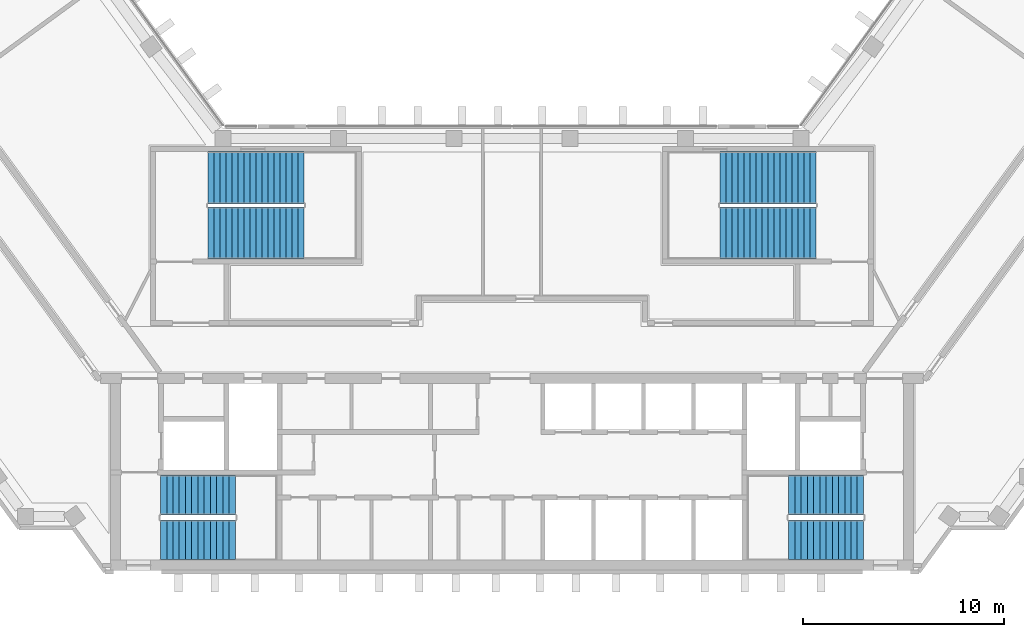
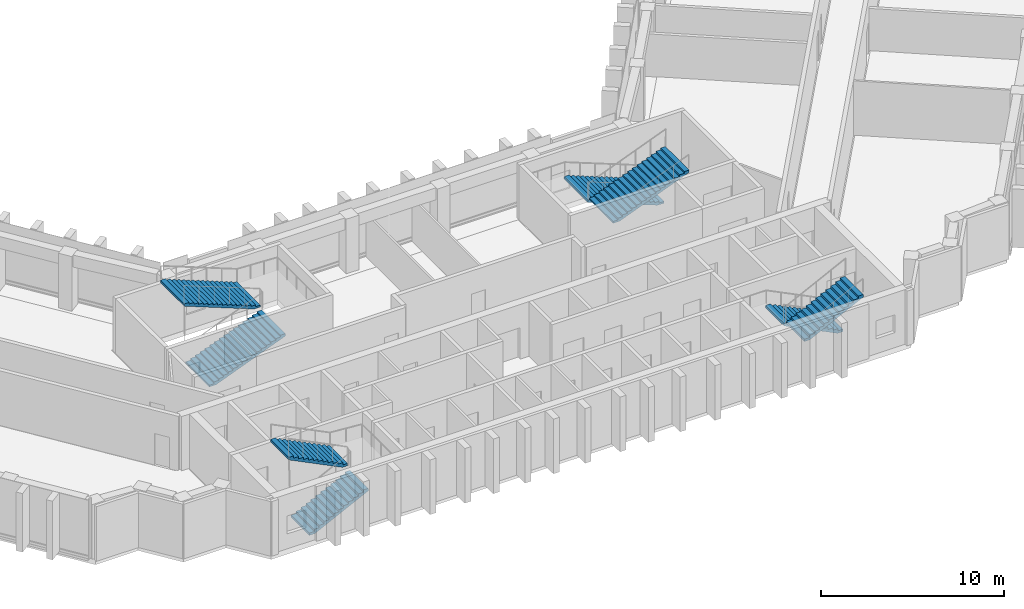
# One storey, part 9 of 11: 8 stair flights, 4 elements without a shape of their own.
"""IFC4 building model written with IfcOpenShell, lengths in metres."""

from ifc_helpers import new_model, si_unit, direction, frame, origin, place, context, subcontext, project, spatial, polyline, outline, extrude, material, type_object, element, aggregate, save


model = new_model("IFC4")

# Units and contexts
model_context = context("Model", 3, precision=1e-05, world=origin(), true_north=direction((0.0, 1.0)))
body_context = subcontext(model_context, "Body", "Model", "MODEL_VIEW")
ifc_project = project(units=[si_unit("LENGTHUNIT", "METRE"), si_unit("AREAUNIT", "SQUARE_METRE"), si_unit("VOLUMEUNIT", "CUBIC_METRE"), si_unit("PLANEANGLEUNIT", "RADIAN"), si_unit("MASSUNIT", "GRAM", prefix="KILO")], contexts=[model_context])

# Site, building, storey
site_placement = place(None, origin())
site = spatial("IfcSite", under=ifc_project, at=site_placement, CompositionType="ELEMENT")
building_placement = place(site_placement, origin())
building = spatial("IfcBuilding", under=site, at=building_placement, Name="Quipu Civic Tower", CompositionType="ELEMENT")
storey_placement = place(building_placement, frame((0.0, 0.0, 144.0)))
storey = spatial("IfcBuildingStorey", under=building, at=storey_placement, Name="L33", CompositionType="ELEMENT", Elevation=144.0)

# Stair, stair flights
ifc_material_1 = material(Name="Concrete C40/50", Category="concrete")
stair_type_1 = type_object("IfcStairType", Name="Half turn stair 2000", PredefinedType="HALF_TURN_STAIR", material=ifc_material_1)
stair_1_placement = place(storey_placement, origin())
stair_1 = element("IfcStair", 1, at=stair_1_placement, inside=storey, type_object=stair_type_1, Name="Exit stair 1", PredefinedType="HALF_TURN_STAIR")
ifc_material_2 = material(Name="Concrete C40/50", Category="concrete")
stair_flight_type_1 = type_object("IfcStairFlightType", Name="Stair flight 2000", PredefinedType="STRAIGHT", material=ifc_material_2)
stair_flight_1_placement = place(storey_placement, frame((-17.5, -9.5, 0.0), z_axis=(0.0, 0.0, 1.0), x_axis=(1.0, 0.0, 0.0)))
stair_flight_1 = element("IfcStairFlight", 2, at=stair_flight_1_placement, type_object=stair_flight_type_1, Name="ST-1 flight 1", NumberOfRisers=13, NumberOfTreads=12, PredefinedType="STRAIGHT", RiserHeight=0.153846154, TreadLength=0.31, context=body_context, shape_type="SweptSolid", body=[
    extrude(outline(polyline([(0.0, 0.0), (0.0, 0.15380859375), (0.31005859375, 0.15380859375), (0.31005859375, 0.3076171875), (0.6201171875, 0.3076171875), (0.6201171875, 0.46142578125), (0.929931640625, 0.46142578125), (0.929931640625, 0.615478515625), (1.239990234375, 0.615478515625), (1.239990234375, 0.769287109375), (1.550048828125, 0.769287109375), (1.550048828125, 0.923095703125), (1.860107421875, 0.923095703125), (1.860107421875, 1.076904296875), (2.169921875, 1.076904296875), (2.169921875, 1.230712890625), (2.47998046875, 1.230712890625), (2.47998046875, 1.384521484375), (2.7900390625, 1.384521484375), (2.7900390625, 1.53857421875), (3.10009765625, 1.53857421875), (3.10009765625, 1.6923828125), (3.409912109375, 1.6923828125), (3.409912109375, 1.84619140625), (3.719970703125, 1.84619140625), (3.719970703125, 2.0), (3.719970703125, 1.6787109375), (0.337158203125, 0.0), (0.0, 0.0)])), frame((0.0, 1.0, 0.0), z_axis=(0.0, -1.0, 0.0), x_axis=(1.0, 0.0, 0.0)), (0.0, 0.0, 1.0), 2.0),
])
stair_flight_2_placement = place(storey_placement, frame((-13.780029296875, -7.25, 2.0), z_axis=(0.0, 0.0, 1.0), x_axis=(-1.0, 0.0, 0.0)))
stair_flight_2 = element("IfcStairFlight", 3, at=stair_flight_2_placement, type_object=stair_flight_type_1, Name="ST-1 flight 2", NumberOfRisers=13, NumberOfTreads=12, PredefinedType="STRAIGHT", RiserHeight=0.153846154, TreadLength=0.31, context=body_context, shape_type="SweptSolid", body=[
    extrude(outline(polyline([(0.0, 0.0), (0.0, 0.15380859375), (0.31005859375, 0.15380859375), (0.31005859375, 0.3076171875), (0.6201171875, 0.3076171875), (0.6201171875, 0.46142578125), (0.929931640625, 0.46142578125), (0.929931640625, 0.615478515625), (1.239990234375, 0.615478515625), (1.239990234375, 0.769287109375), (1.550048828125, 0.769287109375), (1.550048828125, 0.923095703125), (1.860107421875, 0.923095703125), (1.860107421875, 1.076904296875), (2.169921875, 1.076904296875), (2.169921875, 1.230712890625), (2.47998046875, 1.230712890625), (2.47998046875, 1.384521484375), (2.7900390625, 1.384521484375), (2.7900390625, 1.53857421875), (3.10009765625, 1.53857421875), (3.10009765625, 1.6923828125), (3.409912109375, 1.6923828125), (3.409912109375, 1.84619140625), (3.719970703125, 1.84619140625), (3.719970703125, 2.0), (3.719970703125, 1.6787109375), (0.337158203125, 0.0), (0.0, 0.0)])), frame((0.0, 1.0, 0.0), z_axis=(0.0, -1.0, 0.0), x_axis=(1.0, 0.0, 0.0)), (0.0, 0.0, 1.0), 2.0),
])
aggregate(stair_1, [stair_flight_1, stair_flight_2])

stair_2_placement = place(storey_placement, origin())
stair_2 = element("IfcStair", 4, at=stair_2_placement, inside=storey, type_object=stair_type_1, Name="Exit stair 2", PredefinedType="HALF_TURN_STAIR")
stair_flight_3_placement = place(storey_placement, frame((17.5, -7.25, 0.0), z_axis=(0.0, 0.0, 1.0), x_axis=(-1.0, 0.0, 0.0)))
stair_flight_3 = element("IfcStairFlight", 5, at=stair_flight_3_placement, type_object=stair_flight_type_1, Name="ST-2 flight 1", NumberOfRisers=13, NumberOfTreads=12, PredefinedType="STRAIGHT", RiserHeight=0.153846154, TreadLength=0.31, context=body_context, shape_type="SweptSolid", body=[
    extrude(outline(polyline([(0.0, 0.0), (0.0, 0.15380859375), (0.31005859375, 0.15380859375), (0.31005859375, 0.3076171875), (0.6201171875, 0.3076171875), (0.6201171875, 0.46142578125), (0.929931640625, 0.46142578125), (0.929931640625, 0.615478515625), (1.239990234375, 0.615478515625), (1.239990234375, 0.769287109375), (1.550048828125, 0.769287109375), (1.550048828125, 0.923095703125), (1.860107421875, 0.923095703125), (1.860107421875, 1.076904296875), (2.169921875, 1.076904296875), (2.169921875, 1.230712890625), (2.47998046875, 1.230712890625), (2.47998046875, 1.384521484375), (2.7900390625, 1.384521484375), (2.7900390625, 1.53857421875), (3.10009765625, 1.53857421875), (3.10009765625, 1.6923828125), (3.409912109375, 1.6923828125), (3.409912109375, 1.84619140625), (3.719970703125, 1.84619140625), (3.719970703125, 2.0), (3.719970703125, 1.6787109375), (0.337158203125, 0.0), (0.0, 0.0)])), frame((0.0, 1.0, 0.0), z_axis=(0.0, -1.0, 0.0), x_axis=(1.0, 0.0, 0.0)), (0.0, 0.0, 1.0), 2.0),
])
stair_flight_4_placement = place(storey_placement, frame((13.780029296875, -9.5, 2.0), z_axis=(0.0, 0.0, 1.0), x_axis=(1.0, 0.0, 0.0)))
stair_flight_4 = element("IfcStairFlight", 6, at=stair_flight_4_placement, type_object=stair_flight_type_1, Name="ST-2 flight 2", NumberOfRisers=13, NumberOfTreads=12, PredefinedType="STRAIGHT", RiserHeight=0.153846154, TreadLength=0.31, context=body_context, shape_type="SweptSolid", body=[
    extrude(outline(polyline([(0.0, 0.0), (0.0, 0.15380859375), (0.31005859375, 0.15380859375), (0.31005859375, 0.3076171875), (0.6201171875, 0.3076171875), (0.6201171875, 0.46142578125), (0.929931640625, 0.46142578125), (0.929931640625, 0.615478515625), (1.239990234375, 0.615478515625), (1.239990234375, 0.769287109375), (1.550048828125, 0.769287109375), (1.550048828125, 0.923095703125), (1.860107421875, 0.923095703125), (1.860107421875, 1.076904296875), (2.169921875, 1.076904296875), (2.169921875, 1.230712890625), (2.47998046875, 1.230712890625), (2.47998046875, 1.384521484375), (2.7900390625, 1.384521484375), (2.7900390625, 1.53857421875), (3.10009765625, 1.53857421875), (3.10009765625, 1.6923828125), (3.409912109375, 1.6923828125), (3.409912109375, 1.84619140625), (3.719970703125, 1.84619140625), (3.719970703125, 2.0), (3.719970703125, 1.6787109375), (0.337158203125, 0.0), (0.0, 0.0)])), frame((0.0, 1.0, 0.0), z_axis=(0.0, -1.0, 0.0), x_axis=(1.0, 0.0, 0.0)), (0.0, 0.0, 1.0), 2.0),
])
aggregate(stair_2, [stair_flight_3, stair_flight_4])

ifc_material_3 = material(Name="Concrete C40/50", Category="concrete")
stair_type_2 = type_object("IfcStairType", Name="Half turn stair 2600", PredefinedType="HALF_TURN_STAIR", material=ifc_material_3)
stair_3_placement = place(storey_placement, origin())
stair_3 = element("IfcStair", 7, at=stair_3_placement, inside=storey, type_object=stair_type_2, Name="Exit stair 3", PredefinedType="HALF_TURN_STAIR")
ifc_material_4 = material(Name="Concrete C40/50", Category="concrete")
stair_flight_type_2 = type_object("IfcStairFlightType", Name="Stair flight 2600", PredefinedType="STRAIGHT", material=ifc_material_4)
stair_flight_5_placement = place(storey_placement, frame((-15.14990234375, 5.800048828125, 0.0), z_axis=(0.0, 0.0, 1.0), x_axis=(1.0, 0.0, 0.0)))
stair_flight_5 = element("IfcStairFlight", 8, at=stair_flight_5_placement, type_object=stair_flight_type_2, Name="ST-3 flight 1", NumberOfRisers=17, NumberOfTreads=16, PredefinedType="STRAIGHT", RiserHeight=0.117647059, TreadLength=0.3, context=body_context, shape_type="SweptSolid", body=[
    extrude(outline(polyline([(0.0, 0.0), (0.0, 0.11767578125), (0.300048828125, 0.11767578125), (0.300048828125, 0.2353515625), (0.60009765625, 0.2353515625), (0.60009765625, 0.35302734375), (0.89990234375, 0.35302734375), (0.89990234375, 0.470703125), (1.199951171875, 0.470703125), (1.199951171875, 0.588134765625), (1.5, 0.588134765625), (1.5, 0.705810546875), (1.800048828125, 0.705810546875), (1.800048828125, 0.823486328125), (2.10009765625, 0.823486328125), (2.10009765625, 0.941162109375), (2.39990234375, 0.941162109375), (2.39990234375, 1.058837890625), (2.699951171875, 1.058837890625), (2.699951171875, 1.176513671875), (3.0, 1.176513671875), (3.0, 1.294189453125), (3.300048828125, 1.294189453125), (3.300048828125, 1.411865234375), (3.60009765625, 1.411865234375), (3.60009765625, 1.529296875), (3.89990234375, 1.529296875), (3.89990234375, 1.64697265625), (4.199951171875, 1.64697265625), (4.199951171875, 1.7646484375), (4.5, 1.7646484375), (4.5, 1.88232421875), (4.800048828125, 1.88232421875), (4.800048828125, 2.0), (4.800048828125, 1.721435546875), (0.41064453125, 0.0), (0.0, 0.0)])), frame((0.0, 1.300048828125, 0.0), z_axis=(0.0, -1.0, 0.0), x_axis=(1.0, 0.0, 0.0)), (0.0, 0.0, 1.0), 2.60009765625),
])
stair_flight_6_placement = place(storey_placement, frame((-10.35009765625, 8.550048828125, 2.0), z_axis=(0.0, 0.0, 1.0), x_axis=(-1.0, 0.0, 0.0)))
stair_flight_6 = element("IfcStairFlight", 9, at=stair_flight_6_placement, type_object=stair_flight_type_2, Name="ST-3 flight 2", NumberOfRisers=17, NumberOfTreads=16, PredefinedType="STRAIGHT", RiserHeight=0.117647059, TreadLength=0.3, context=body_context, shape_type="SweptSolid", body=[
    extrude(outline(polyline([(0.0, 0.0), (0.0, 0.11767578125), (0.300048828125, 0.11767578125), (0.300048828125, 0.2353515625), (0.60009765625, 0.2353515625), (0.60009765625, 0.35302734375), (0.89990234375, 0.35302734375), (0.89990234375, 0.470703125), (1.199951171875, 0.470703125), (1.199951171875, 0.588134765625), (1.5, 0.588134765625), (1.5, 0.705810546875), (1.800048828125, 0.705810546875), (1.800048828125, 0.823486328125), (2.10009765625, 0.823486328125), (2.10009765625, 0.941162109375), (2.39990234375, 0.941162109375), (2.39990234375, 1.058837890625), (2.699951171875, 1.058837890625), (2.699951171875, 1.176513671875), (3.0, 1.176513671875), (3.0, 1.294189453125), (3.300048828125, 1.294189453125), (3.300048828125, 1.411865234375), (3.60009765625, 1.411865234375), (3.60009765625, 1.529296875), (3.89990234375, 1.529296875), (3.89990234375, 1.64697265625), (4.199951171875, 1.64697265625), (4.199951171875, 1.7646484375), (4.5, 1.7646484375), (4.5, 1.88232421875), (4.800048828125, 1.88232421875), (4.800048828125, 2.0), (4.800048828125, 1.721435546875), (0.41064453125, 0.0), (0.0, 0.0)])), frame((0.0, 1.300048828125, 0.0), z_axis=(0.0, -1.0, 0.0), x_axis=(1.0, 0.0, 0.0)), (0.0, 0.0, 1.0), 2.60009765625),
])
aggregate(stair_3, [stair_flight_5, stair_flight_6])

stair_4_placement = place(storey_placement, origin())
stair_4 = element("IfcStair", 10, at=stair_4_placement, inside=storey, type_object=stair_type_2, Name="Exit stair 4", PredefinedType="HALF_TURN_STAIR")
stair_flight_7_placement = place(storey_placement, frame((15.14990234375, 8.550048828125, 0.0), z_axis=(0.0, 0.0, 1.0), x_axis=(-1.0, 0.0, 0.0)))
stair_flight_7 = element("IfcStairFlight", 11, at=stair_flight_7_placement, type_object=stair_flight_type_2, Name="ST-4 flight 1", NumberOfRisers=17, NumberOfTreads=16, PredefinedType="STRAIGHT", RiserHeight=0.117647059, TreadLength=0.3, context=body_context, shape_type="SweptSolid", body=[
    extrude(outline(polyline([(0.0, 0.0), (0.0, 0.11767578125), (0.300048828125, 0.11767578125), (0.300048828125, 0.2353515625), (0.60009765625, 0.2353515625), (0.60009765625, 0.35302734375), (0.89990234375, 0.35302734375), (0.89990234375, 0.470703125), (1.199951171875, 0.470703125), (1.199951171875, 0.588134765625), (1.5, 0.588134765625), (1.5, 0.705810546875), (1.800048828125, 0.705810546875), (1.800048828125, 0.823486328125), (2.10009765625, 0.823486328125), (2.10009765625, 0.941162109375), (2.39990234375, 0.941162109375), (2.39990234375, 1.058837890625), (2.699951171875, 1.058837890625), (2.699951171875, 1.176513671875), (3.0, 1.176513671875), (3.0, 1.294189453125), (3.300048828125, 1.294189453125), (3.300048828125, 1.411865234375), (3.60009765625, 1.411865234375), (3.60009765625, 1.529296875), (3.89990234375, 1.529296875), (3.89990234375, 1.64697265625), (4.199951171875, 1.64697265625), (4.199951171875, 1.7646484375), (4.5, 1.7646484375), (4.5, 1.88232421875), (4.800048828125, 1.88232421875), (4.800048828125, 2.0), (4.800048828125, 1.721435546875), (0.41064453125, 0.0), (0.0, 0.0)])), frame((0.0, 1.300048828125, 0.0), z_axis=(0.0, -1.0, 0.0), x_axis=(1.0, 0.0, 0.0)), (0.0, 0.0, 1.0), 2.60009765625),
])
stair_flight_8_placement = place(storey_placement, frame((10.35009765625, 5.800048828125, 2.0), z_axis=(0.0, 0.0, 1.0), x_axis=(1.0, 0.0, 0.0)))
stair_flight_8 = element("IfcStairFlight", 12, at=stair_flight_8_placement, type_object=stair_flight_type_2, Name="ST-4 flight 2", NumberOfRisers=17, NumberOfTreads=16, PredefinedType="STRAIGHT", RiserHeight=0.117647059, TreadLength=0.3, context=body_context, shape_type="SweptSolid", body=[
    extrude(outline(polyline([(0.0, 0.0), (0.0, 0.11767578125), (0.300048828125, 0.11767578125), (0.300048828125, 0.2353515625), (0.60009765625, 0.2353515625), (0.60009765625, 0.35302734375), (0.89990234375, 0.35302734375), (0.89990234375, 0.470703125), (1.199951171875, 0.470703125), (1.199951171875, 0.588134765625), (1.5, 0.588134765625), (1.5, 0.705810546875), (1.800048828125, 0.705810546875), (1.800048828125, 0.823486328125), (2.10009765625, 0.823486328125), (2.10009765625, 0.941162109375), (2.39990234375, 0.941162109375), (2.39990234375, 1.058837890625), (2.699951171875, 1.058837890625), (2.699951171875, 1.176513671875), (3.0, 1.176513671875), (3.0, 1.294189453125), (3.300048828125, 1.294189453125), (3.300048828125, 1.411865234375), (3.60009765625, 1.411865234375), (3.60009765625, 1.529296875), (3.89990234375, 1.529296875), (3.89990234375, 1.64697265625), (4.199951171875, 1.64697265625), (4.199951171875, 1.7646484375), (4.5, 1.7646484375), (4.5, 1.88232421875), (4.800048828125, 1.88232421875), (4.800048828125, 2.0), (4.800048828125, 1.721435546875), (0.41064453125, 0.0), (0.0, 0.0)])), frame((0.0, 1.300048828125, 0.0), z_axis=(0.0, -1.0, 0.0), x_axis=(1.0, 0.0, 0.0)), (0.0, 0.0, 1.0), 2.60009765625),
])
aggregate(stair_4, [stair_flight_7, stair_flight_8])

save(model, "model.ifc")
